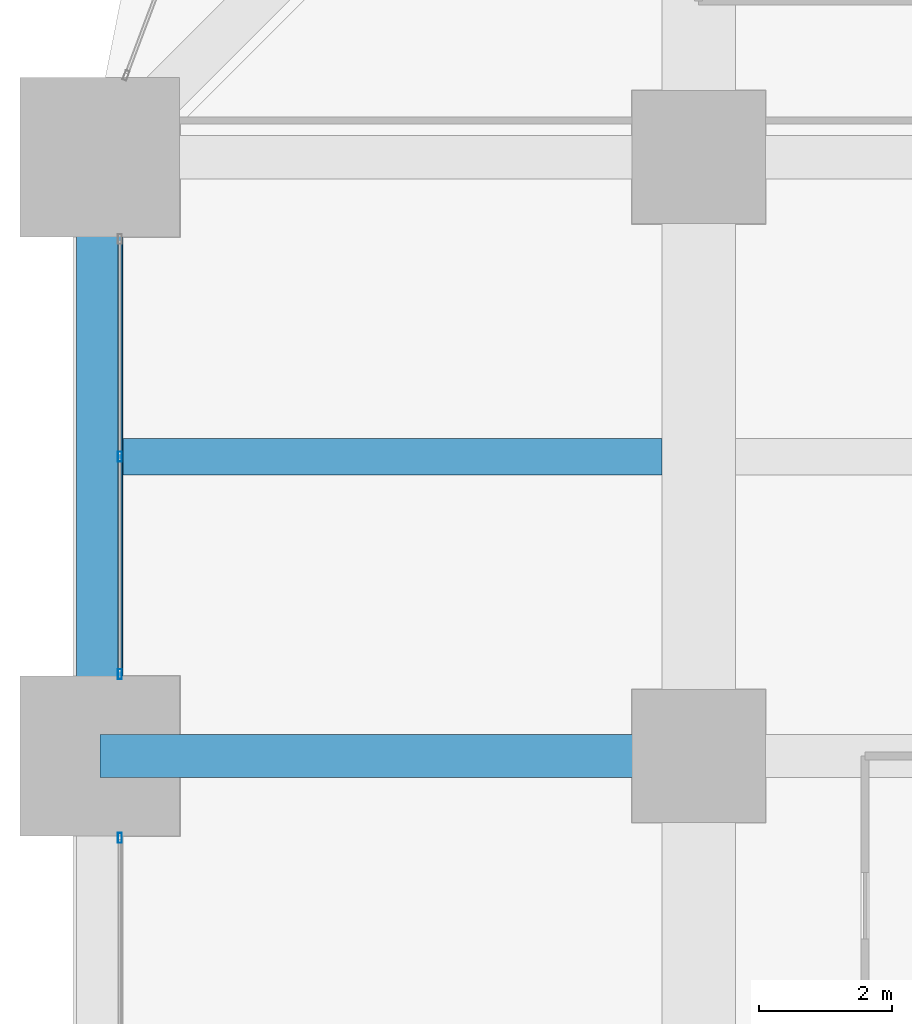
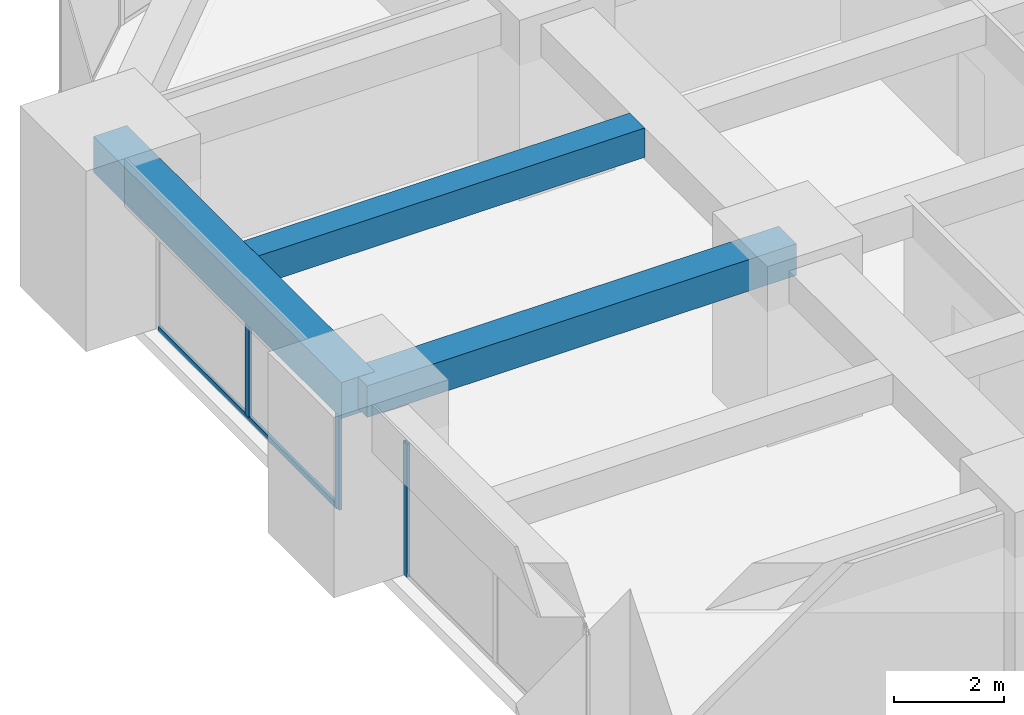
# One storey, part 11 of 41: 4 members, 3 beams, 2 elements without a shape of their own.
"""IFC4 building model written with IfcOpenShell, lengths in metres."""

from ifc_helpers import new_model, si_unit, direction, frame, origin, origin_2d, place, context, subcontext, project, spatial, rectangle, hollow_rectangle, extrude, material, material_profile, profile_set, type_object, element, aggregate, save


model = new_model("IFC4")

# Units and contexts
model_context = context("Model", 3, precision=1e-05, world=origin(), true_north=direction((0.0, 1.0)))
body_context = subcontext(model_context, "Body", "Model", "MODEL_VIEW")
ifc_project = project(units=[si_unit("LENGTHUNIT", "METRE"), si_unit("AREAUNIT", "SQUARE_METRE"), si_unit("VOLUMEUNIT", "CUBIC_METRE"), si_unit("PLANEANGLEUNIT", "RADIAN"), si_unit("MASSUNIT", "GRAM", prefix="KILO")], contexts=[model_context])

# Site, building, storey
site_placement = place(None, origin())
site = spatial("IfcSite", under=ifc_project, at=site_placement, CompositionType="ELEMENT")
building_placement = place(site_placement, origin())
building = spatial("IfcBuilding", under=site, at=building_placement, Name="Zorevar Civic Tower", CompositionType="ELEMENT")
storey_placement = place(building_placement, frame((0.0, 0.0, 105.0)))
storey = spatial("IfcBuildingStorey", under=building, at=storey_placement, Name="L25", CompositionType="ELEMENT", Elevation=105.0)

# Beams
ifc_material_1 = material(Name="Concrete C50/60", Category="concrete")
ifc_material_profile_1 = material_profile(ifc_material_1, rectangle(XDim=0.550048828125, YDim=0.64990234375, at=origin_2d()), Name="RC 550x650")
ifc_profile_set_1 = profile_set([ifc_material_profile_1], Name="Concrete C50/60")
beam_type_1 = type_object("IfcBeamType", Name="Beam RC 550x650", PredefinedType="BEAM", material=ifc_profile_set_1)
beam_1_placement = place(storey_placement, frame((0.35009765625, 31.5, 3.425048828125), z_axis=(1.0, 0.0, 0.0), x_axis=(0.0, 1.0, 0.0)))
element("IfcBeam", 1, at=beam_1_placement, inside=storey, type_object=beam_type_1, Name="Secondary beam L26", PredefinedType="BEAM", context=body_context, shape_type="SweptSolid", body=[
    extrude(rectangle(XDim=0.550048828125, YDim=0.64990234375, at=origin_2d()), origin(), (0.0, 0.0, 1.0), 8.099853515625),
])
ifc_material_2 = material(Name="Concrete C50/60", Category="concrete")
ifc_material_profile_2 = material_profile(ifc_material_2, rectangle(XDim=0.64990234375, YDim=0.699951171875, at=origin_2d()), Name="RC 650x700")
ifc_profile_set_2 = profile_set([ifc_material_profile_2], Name="Concrete C50/60")
beam_type_2 = type_object("IfcBeamType", Name="Beam RC 650x700", PredefinedType="BEAM", material=ifc_profile_set_2)
beam_2_placement = place(storey_placement, frame((0.0, 27.0, 3.39990234375), z_axis=(1.0, 0.0, 0.0), x_axis=(0.0, 1.0, 0.0)))
element("IfcBeam", 2, at=beam_2_placement, inside=storey, type_object=beam_type_2, Name="Girder L26", PredefinedType="BEAM", context=body_context, shape_type="SweptSolid", body=[
    extrude(rectangle(XDim=0.64990234375, YDim=0.699951171875, at=origin_2d()), origin(), (0.0, 0.0, 1.0), 9.0),
])

# Curtain wall, member
ifc_material_3 = material(Name="Dark grey solar-control glass in black aluminium frame", Category="aluminium")
curtain_wall_type = type_object("IfcCurtainWallType", Name="Curtain wall CW3 mid zone", PredefinedType="NOTDEFINED", material=ifc_material_3)
curtain_wall_1_placement = place(storey_placement, origin())
curtain_wall_1 = element("IfcCurtainWall", 3, at=curtain_wall_1_placement, inside=storey, type_object=curtain_wall_type, Name="CW3 L25", PredefinedType="NOTDEFINED")
ifc_material_4 = material(Name="Aluminium, black anodised", Category="aluminium")
ifc_material_profile_3 = material_profile(ifc_material_4, hollow_rectangle(XDim=0.06005859375, YDim=0.14990234375, WallThickness=0.00390625, at=origin_2d()), Name="AL 150x60x4")
ifc_profile_set_3 = profile_set([ifc_material_profile_3], Name="Aluminium, black anodised")
member_type_1 = type_object("IfcMemberType", Name="CW3 mullion AL 150x60x4", PredefinedType="MULLION", material=ifc_profile_set_3)
member_1_placement = place(storey_placement, frame((0.300048828125, 25.77001953125, 0.0), z_axis=(0.0, 0.0, 1.0), x_axis=(-1.0, 0.0, 0.0)))
member_1 = element("IfcMember", 4, at=member_1_placement, type_object=member_type_1, Name="CW3 mullion 3", PredefinedType="MULLION", context=body_context, shape_type="SweptSolid", body=[
    extrude(hollow_rectangle(XDim=0.06005859375, YDim=0.14990234375, WallThickness=0.00390625, at=origin_2d()), origin(), (0.0, 0.0, 1.0), 2.949951171875),
])
aggregate(curtain_wall_1, [member_1])

# Curtain wall, members
curtain_wall_2_placement = place(storey_placement, origin())
curtain_wall_2 = element("IfcCurtainWall", 5, at=curtain_wall_2_placement, inside=storey, type_object=curtain_wall_type, Name="CW3 L25", PredefinedType="NOTDEFINED")
member_2_placement = place(storey_placement, frame((0.300048828125, 28.22998046875, 0.0), z_axis=(0.0, 0.0, 1.0), x_axis=(-1.0, 0.0, 0.0)))
member_2 = element("IfcMember", 6, at=member_2_placement, type_object=member_type_1, Name="CW3 mullion 1", PredefinedType="MULLION", context=body_context, shape_type="SweptSolid", body=[
    extrude(hollow_rectangle(XDim=0.06005859375, YDim=0.14990234375, WallThickness=0.00390625, at=origin_2d()), origin(), (0.0, 0.0, 1.0), 2.949951171875),
])
member_3_placement = place(storey_placement, frame((0.300048828125, 31.5, 0.06005859375), z_axis=(0.0, 0.0, 1.0), x_axis=(-1.0, 0.0, 0.0)))
member_3 = element("IfcMember", 7, at=member_3_placement, type_object=member_type_1, Name="CW3 mullion 2", PredefinedType="MULLION", context=body_context, shape_type="SweptSolid", body=[
    extrude(hollow_rectangle(XDim=0.06005859375, YDim=0.14990234375, WallThickness=0.00390625, at=origin_2d()), origin(), (0.0, 0.0, 1.0), 2.889892578125),
])
ifc_material_5 = material(Name="Aluminium, black anodised", Category="aluminium")
ifc_material_profile_4 = material_profile(ifc_material_5, hollow_rectangle(XDim=0.06005859375, YDim=0.1201171875, WallThickness=0.0029296875, at=origin_2d()), Name="AL 120x60x3")
ifc_profile_set_4 = profile_set([ifc_material_profile_4], Name="Aluminium, black anodised")
member_type_2 = type_object("IfcMemberType", Name="CW3 transom AL 120x60x3", PredefinedType="USERDEFINED", material=ifc_profile_set_4)
member_4_placement = place(storey_placement, frame((0.300048828125, 28.260009765625, 0.030029296875), z_axis=(0.0, 1.0, 0.0), x_axis=(-1.0, 0.0, 0.0)))
member_4 = element("IfcMember", 8, at=member_4_placement, type_object=member_type_2, Name="CW3 sill transom", ObjectType="TRANSOM", PredefinedType="USERDEFINED", context=body_context, shape_type="SweptSolid", body=[
    extrude(hollow_rectangle(XDim=0.06005859375, YDim=0.1201171875, WallThickness=0.0029296875, at=origin_2d()), origin(), (0.0, 0.0, 1.0), 6.47998046875),
])
aggregate(curtain_wall_2, [member_2, member_3, member_4])

# Beam
ifc_material_6 = material(Name="Concrete C50/60", Category="concrete")
ifc_material_profile_5 = material_profile(ifc_material_6, rectangle(XDim=0.699951171875, YDim=0.800048828125, at=origin_2d()), Name="RC 700x800")
ifc_profile_set_5 = profile_set([ifc_material_profile_5], Name="Concrete C50/60")
beam_type_3 = type_object("IfcBeamType", Name="Edge beam RC 700x800", PredefinedType="SPANDREL", material=ifc_profile_set_5)
beam_3_placement = place(storey_placement, frame((0.0, 27.0, 3.35009765625), z_axis=(0.0, 1.0, 0.0), x_axis=(-1.0, 0.0, 0.0)))
element("IfcBeam", 9, at=beam_3_placement, inside=storey, type_object=beam_type_3, Name="Edge beam L26", PredefinedType="SPANDREL", context=body_context, shape_type="SweptSolid", body=[
    extrude(rectangle(XDim=0.699951171875, YDim=0.800048828125, at=origin_2d()), origin(), (0.0, 0.0, 1.0), 9.0),
])

save(model, "model.ifc")
